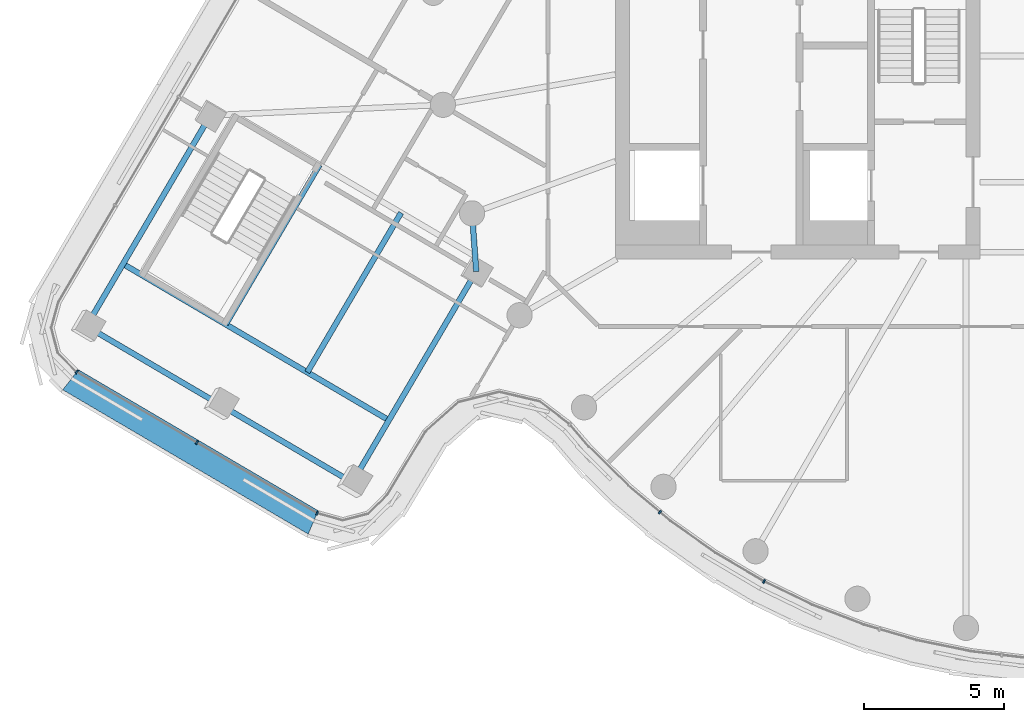
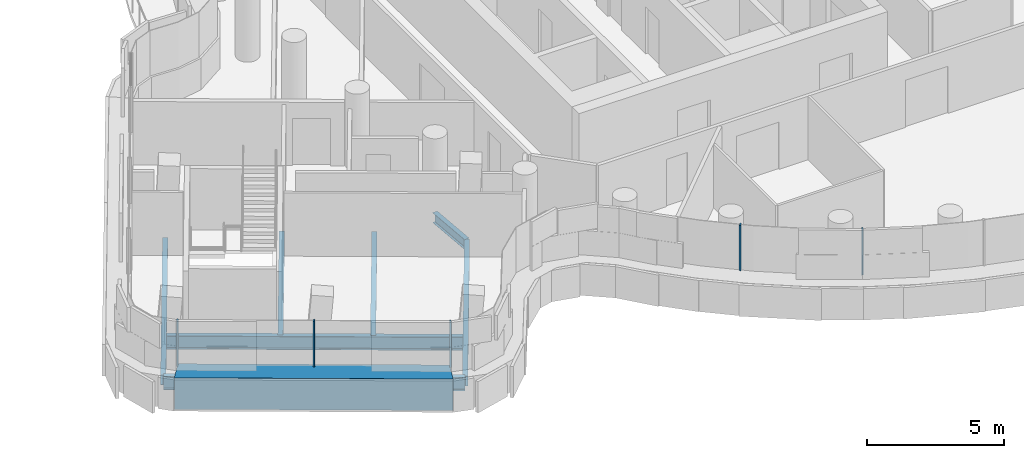
# One storey, part 2 of 26: 8 beams, 6 members, 2 elements without a shape of their own.
"""IFC4 building model written with IfcOpenShell, lengths in metres."""

from ifc_helpers import new_model, si_unit, direction, frame, origin, origin_2d, place, context, subcontext, project, spatial, polyline, rectangle, i_section, outline, extrude, material, layer, layer_set, material_profile, profile_set, type_object, element, aggregate, save


model = new_model("IFC4")

# Units and contexts
model_context = context("Model", 3, precision=1e-05, world=origin(), true_north=direction((0.0, 1.0)))
body_context = subcontext(model_context, "Body", "Model", "MODEL_VIEW")
ifc_project = project(units=[si_unit("LENGTHUNIT", "METRE"), si_unit("AREAUNIT", "SQUARE_METRE"), si_unit("VOLUMEUNIT", "CUBIC_METRE"), si_unit("PLANEANGLEUNIT", "RADIAN"), si_unit("MASSUNIT", "GRAM", prefix="KILO")], contexts=[model_context])

# Site, building, storey
site_placement = place(None, origin())
site = spatial("IfcSite", under=ifc_project, at=site_placement, CompositionType="ELEMENT")
building_placement = place(site_placement, origin())
building = spatial("IfcBuilding", under=site, at=building_placement, Name="Tamarind Cross Interchange Tower", CompositionType="ELEMENT")
storey_placement = place(building_placement, frame((0.0, 0.0, 248.699951171875)))
storey = spatial("IfcBuildingStorey", under=building, at=storey_placement, Name="L63", CompositionType="ELEMENT", Elevation=248.699951171875)

# Beams
ifc_material_1 = material(Name="Steel Q355B", Category="steel")
ifc_material_profile_1 = material_profile(ifc_material_1, i_section(OverallWidth=0.198974609375, OverallDepth=0.446044921875, WebThickness=0.008056640625, FlangeThickness=0.011962890625, FilletRadius=0.012939453125, at=origin_2d()), Name="HN 446x199x8x12")
ifc_profile_set_1 = profile_set([ifc_material_profile_1], Name="Steel Q355B")
beam_type_1 = type_object("IfcBeamType", Name="Composite beam HN 446x199x8x12 Q355B", PredefinedType="BEAM", material=ifc_profile_set_1)
beam_1_placement = place(storey_placement, frame((-35.368408203125, -11.8896484375, -0.363037109375), z_axis=(0.506733928242, 0.862102503168, 0.0), x_axis=(-0.862102503168, 0.506733928242, 0.0)))
element("IfcBeam", 1, at=beam_1_placement, inside=storey, type_object=beam_type_1, Name="Beam W-edgeem4", PredefinedType="BEAM", context=body_context, shape_type="SweptSolid", body=[
    extrude(i_section(OverallWidth=0.198974609375, OverallDepth=0.446044921875, WebThickness=0.008056640625, FlangeThickness=0.011962890625, FilletRadius=0.012939453125, at=origin_2d()), origin(), (0.0, 0.0, 1.0), 8.724365234375),
])
beam_2_placement = place(storey_placement, frame((-25.88525390625, -17.4638671875, -0.363037109375), z_axis=(0.5067217035, 0.862109688614, 0.0), x_axis=(-0.862109688614, 0.5067217035, 0.0)))
element("IfcBeam", 2, at=beam_2_placement, inside=storey, type_object=beam_type_1, Name="Beam W-edgeep2", PredefinedType="BEAM", context=body_context, shape_type="SweptSolid", body=[
    extrude(i_section(OverallWidth=0.198974609375, OverallDepth=0.446044921875, WebThickness=0.008056640625, FlangeThickness=0.011962890625, FilletRadius=0.012939453125, at=origin_2d()), origin(), (0.0, 0.0, 1.0), 8.724609375),
])
beam_3_placement = place(storey_placement, frame((-21.46435546875, -9.9423828125, -0.363037109375), z_axis=(-0.071438785888, 0.997444985887, 0.0), x_axis=(-0.997444985887, -0.071438785888, 0.0)))
element("IfcBeam", 3, at=beam_3_placement, inside=storey, type_object=beam_type_1, Name="Beam W-linkep", PredefinedType="BEAM", context=body_context, shape_type="SweptSolid", body=[
    extrude(i_section(OverallWidth=0.198974609375, OverallDepth=0.446044921875, WebThickness=0.008056640625, FlangeThickness=0.011962890625, FilletRadius=0.012939453125, at=origin_2d()), origin(), (0.0, 0.0, 1.0), 2.081298828125),
])
beam_4_placement = place(storey_placement, frame((-27.055419921875, -6.134033203125, -0.363037109375), z_axis=(-0.5067339684, -0.862102479563, 0.0), x_axis=(0.862102479563, -0.5067339684, 0.0)))
element("IfcBeam", 4, at=beam_4_placement, inside=storey, type_object=beam_type_1, Name="Beam W-tr1", PredefinedType="BEAM", context=body_context, shape_type="SweptSolid", body=[
    extrude(i_section(OverallWidth=0.198974609375, OverallDepth=0.446044921875, WebThickness=0.008056640625, FlangeThickness=0.011962890625, FilletRadius=0.012939453125, at=origin_2d()), origin(), (0.0, 0.0, 1.0), 6.60009765625),
])
beam_5_placement = place(storey_placement, frame((-24.14599609375, -7.84423828125, -0.363037109375), z_axis=(-0.506706475462, -0.862118639008, 0.0), x_axis=(0.862118639008, -0.506706475462, 0.0)))
element("IfcBeam", 5, at=beam_5_placement, inside=storey, type_object=beam_type_1, Name="Beam W-stripp", PredefinedType="BEAM", context=body_context, shape_type="SweptSolid", body=[
    extrude(i_section(OverallWidth=0.198974609375, OverallDepth=0.446044921875, WebThickness=0.008056640625, FlangeThickness=0.011962890625, FilletRadius=0.012939453125, at=origin_2d()), origin(), (0.0, 0.0, 1.0), 6.599853515625),
])
ifc_material_profile_2 = material_profile(ifc_material_1, i_section(OverallWidth=0.198974609375, OverallDepth=0.595947265625, WebThickness=0.010009765625, FlangeThickness=0.014892578125, FilletRadius=0.012939453125, at=origin_2d()), Name="HN 596x199x10x15")
ifc_profile_set_2 = profile_set([ifc_material_profile_2], Name="Steel Q355B")
beam_type_2 = type_object("IfcBeamType", Name="Composite beam HN 596x199x10x15 Q355B", PredefinedType="BEAM", material=ifc_profile_set_2)
beam_6_placement = place(storey_placement, frame((-35.368408203125, -11.8896484375, -0.43798828125), z_axis=(0.862103047004, -0.506733003017, 0.0), x_axis=(0.506733003017, 0.862103047004, 0.0)))
element("IfcBeam", 6, at=beam_6_placement, inside=storey, type_object=beam_type_2, Name="Beam W-tip0", PredefinedType="BEAM", context=body_context, shape_type="SweptSolid", body=[
    extrude(i_section(OverallWidth=0.198974609375, OverallDepth=0.595947265625, WebThickness=0.010009765625, FlangeThickness=0.014892578125, FilletRadius=0.012939453125, at=origin_2d()), origin(), (0.0, 0.0, 1.0), 5.500244140625),
])
beam_7_placement = place(storey_placement, frame((-30.626708984375, -14.6767578125, -0.43798828125), z_axis=(0.862091648482, -0.506752394782, 0.0), x_axis=(0.506752394782, 0.862091648482, 0.0)))
element("IfcBeam", 7, at=beam_7_placement, inside=storey, type_object=beam_type_2, Name="Beam W-tip1", PredefinedType="BEAM", context=body_context, shape_type="SweptSolid", body=[
    extrude(i_section(OverallWidth=0.198974609375, OverallDepth=0.595947265625, WebThickness=0.010009765625, FlangeThickness=0.014892578125, FilletRadius=0.012939453125, at=origin_2d()), origin(), (0.0, 0.0, 1.0), 5.5),
])
beam_8_placement = place(storey_placement, frame((-34.06396484375, -9.67041015625, -0.43798828125), z_axis=(0.86210704374, -0.506726203322, 0.0), x_axis=(0.506726203322, 0.86210704374, 0.0)))
element("IfcBeam", 8, at=beam_8_placement, inside=storey, type_object=beam_type_2, Name="Beam W-x364", PredefinedType="BEAM", context=body_context, shape_type="SweptSolid", body=[
    extrude(i_section(OverallWidth=0.198974609375, OverallDepth=0.595947265625, WebThickness=0.010009765625, FlangeThickness=0.014892578125, FilletRadius=0.012939453125, at=origin_2d()), origin(), (0.0, 0.0, 1.0), 11.0),
])

# Curtain wall, members
ifc_material_2 = material(Name="Aluminium 6063-T6", Category="aluminium")
ifc_layer = layer(ifc_material_2, 0.139892578125)
ifc_layer_set = layer_set([ifc_layer], Name="Aluminium 6063-T6")
curtain_wall_type = type_object("IfcCurtainWallType", Name="Hotel curtain wall, 4.5 m bays", PredefinedType="NOTDEFINED", material=ifc_layer_set)
curtain_wall_1_placement = place(storey_placement, origin())
curtain_wall_1 = element("IfcCurtainWall", 9, at=curtain_wall_1_placement, inside=storey, type_object=curtain_wall_type, Name="CWS-L63-00", PredefinedType="NOTDEFINED")
ifc_material_3 = material(Name="Aluminium and insulated spandrel panel", Category="aluminium")
member_type_1 = type_object("IfcMemberType", Name="Floor-edge blade transom", PredefinedType="USERDEFINED", material=ifc_material_3)
member_1_placement = place(storey_placement, origin())
member_1 = element("IfcMember", 10, at=member_1_placement, type_object=member_type_1, Name="CWT-L63-00", ObjectType="TRANSOM", PredefinedType="USERDEFINED", context=body_context, shape_type="SweptSolid", body=[
    extrude(outline(polyline([(-35.65576171875, -13.443359375), (-27.102783203125, -18.470703125), (-27.456787109375, -19.306640625), (-36.2138671875, -14.1591796875), (-35.65576171875, -13.443359375)])), origin(), (0.0, 0.0, 1.0), 1.400146484375),
])
ifc_material_profile_3 = material_profile(ifc_material_2, rectangle(XDim=0.06005859375, YDim=0.139892578125, at=origin_2d()), Name="Mullion CW2")
ifc_profile_set_3 = profile_set([ifc_material_profile_3], Name="Aluminium 6063-T6")
member_type_2 = type_object("IfcMemberType", Name="Mullion CW2", PredefinedType="MULLION", material=ifc_profile_set_3)
member_2_placement = place(storey_placement, frame((-35.7177734375, -13.52294921875, 1.400146484375), z_axis=(0.0, 0.0, 1.0), x_axis=(0.78858635785, -0.614924024749, 0.0)))
member_2 = element("IfcMember", 11, at=member_2_placement, type_object=member_type_2, Name="CWM-L63-00-00", PredefinedType="MULLION", context=body_context, shape_type="SweptSolid", body=[
    extrude(rectangle(XDim=0.06005859375, YDim=0.139892578125, at=origin_2d()), origin(), (0.0, 0.0, 1.0), 2.02001953125),
])
member_3_placement = place(storey_placement, frame((-31.429931640625, -16.043212890625, 1.400146484375), z_axis=(0.0, 0.0, 1.0), x_axis=(0.862103583695, -0.506732089945, 0.0)))
member_3 = element("IfcMember", 12, at=member_3_placement, type_object=member_type_2, Name="CWM-L63-00-01", PredefinedType="MULLION", context=body_context, shape_type="SweptSolid", body=[
    extrude(rectangle(XDim=0.06005859375, YDim=0.139892578125, at=origin_2d()), origin(), (0.0, 0.0, 1.0), 2.02001953125),
])
aggregate(curtain_wall_1, [member_2, member_3, member_1])

curtain_wall_2_placement = place(storey_placement, origin())
curtain_wall_2 = element("IfcCurtainWall", 13, at=curtain_wall_2_placement, inside=storey, type_object=curtain_wall_type, Name="CWS-L63-01", PredefinedType="NOTDEFINED")
member_4_placement = place(storey_placement, frame((-27.14208984375, -18.5634765625, 1.400146484375), z_axis=(0.0, 0.0, 1.0), x_axis=(0.920869978203, -0.389869828591, 0.0)))
member_4 = element("IfcMember", 14, at=member_4_placement, type_object=member_type_2, Name="CWM-L63-01-00", PredefinedType="MULLION", context=body_context, shape_type="SweptSolid", body=[
    extrude(rectangle(XDim=0.06005859375, YDim=0.139892578125, at=origin_2d()), origin(), (0.0, 0.0, 1.0), 2.02001953125),
])
member_5_placement = place(storey_placement, frame((-14.912353515625, -18.52392578125, 1.400146484375), z_axis=(0.0, 0.0, 1.0), x_axis=(0.765858396687, -0.643009266048, 0.0)))
member_5 = element("IfcMember", 15, at=member_5_placement, type_object=member_type_2, Name="CWM-L63-01-02", PredefinedType="MULLION", context=body_context, shape_type="SweptSolid", body=[
    extrude(rectangle(XDim=0.06005859375, YDim=0.139892578125, at=origin_2d()), origin(), (0.0, 0.0, 1.0), 2.02001953125),
])
member_6_placement = place(storey_placement, frame((-11.19921875, -20.993896484375, 1.400146484375), z_axis=(0.0, 0.0, 1.0), x_axis=(0.900272776334, -0.435326231914, 0.0)))
member_6 = element("IfcMember", 16, at=member_6_placement, type_object=member_type_2, Name="CWM-L63-01-03", PredefinedType="MULLION", context=body_context, shape_type="SweptSolid", body=[
    extrude(rectangle(XDim=0.06005859375, YDim=0.139892578125, at=origin_2d()), origin(), (0.0, 0.0, 1.0), 2.02001953125),
])
aggregate(curtain_wall_2, [member_4, member_5, member_6])

save(model, "model.ifc")
